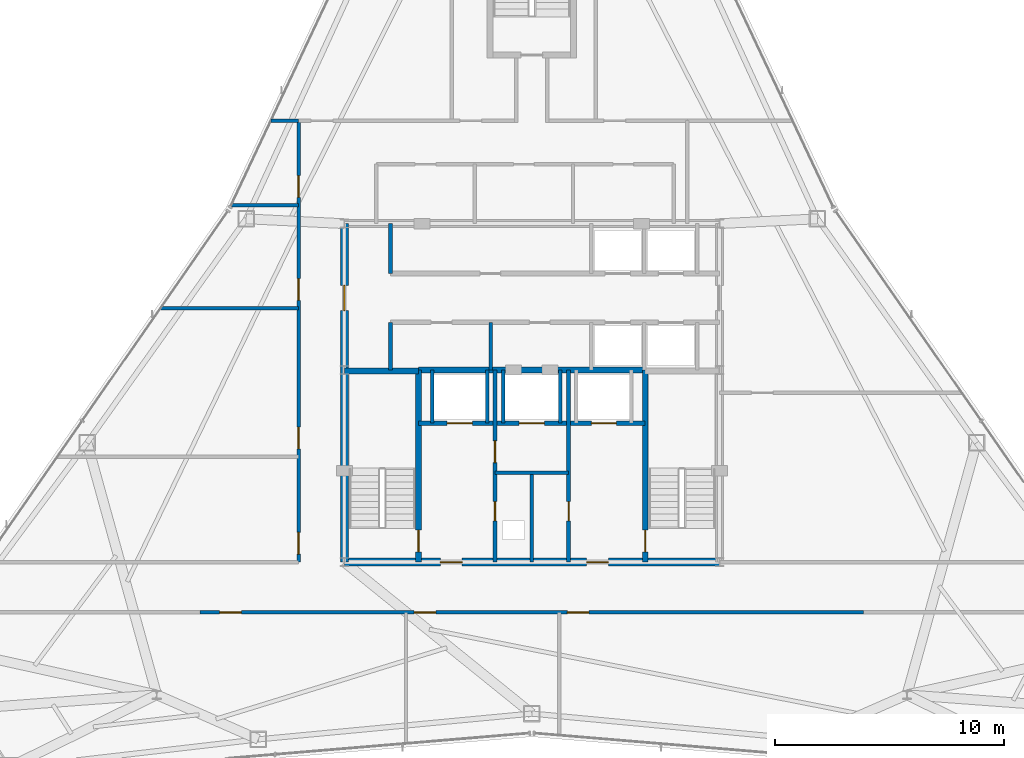
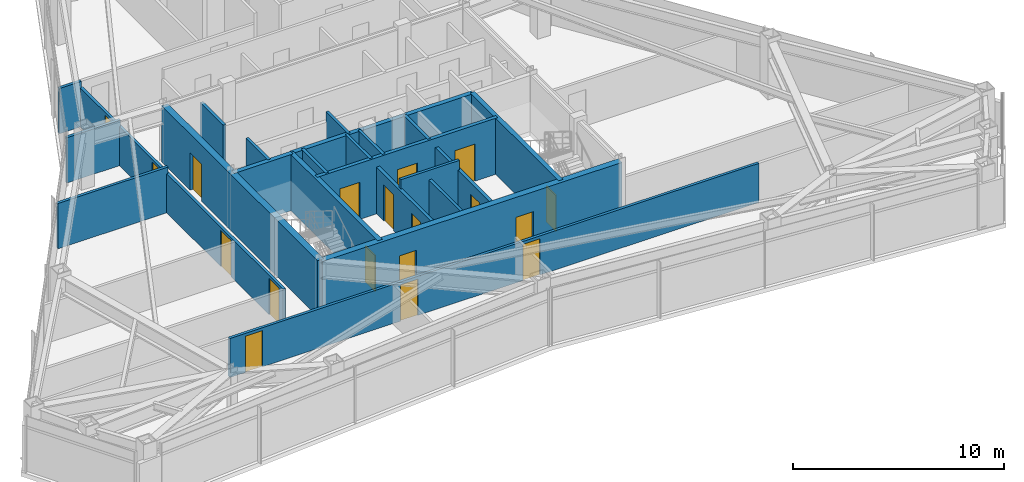
# One storey, part 9 of 12: 23 walls, 18 doors, 18 openings.
"""IFC4 building model written with IfcOpenShell, lengths in metres."""

from ifc_helpers import new_model, si_unit, direction, frame, frame_2d, origin, place, context, subcontext, project, spatial, rectangle, extrude, material, layer, layer_set, type_object, element, fill, save


model = new_model("IFC4")

# Units and contexts
model_context = context("Model", 3, precision=1e-05, world=origin(), true_north=direction((0.0, 1.0)))
body_context = subcontext(model_context, "Body", "Model", "MODEL_VIEW")
ifc_project = project(units=[si_unit("LENGTHUNIT", "METRE"), si_unit("AREAUNIT", "SQUARE_METRE"), si_unit("VOLUMEUNIT", "CUBIC_METRE"), si_unit("PLANEANGLEUNIT", "RADIAN"), si_unit("MASSUNIT", "GRAM", prefix="KILO")], contexts=[model_context])

# Site, building, storey
site_placement = place(None, origin())
site = spatial("IfcSite", under=ifc_project, at=site_placement, CompositionType="ELEMENT")
building_placement = place(site_placement, origin())
building = spatial("IfcBuilding", under=site, at=building_placement, Name="Varakhsha Concourse Tower", CompositionType="ELEMENT")
storey_placement = place(building_placement, frame((0.0, 0.0, 232.89990234375)))
storey = spatial("IfcBuildingStorey", under=building, at=storey_placement, Name="L66", CompositionType="ELEMENT", Elevation=232.89990234375)

# Wall, openings, doors
ifc_material_1 = material(Name="Concrete fc 65 MPa", Category="concrete")
ifc_layer_1 = layer(ifc_material_1, 0.35009765625, Name="WL-CORE-350")
ifc_layer_set_1 = layer_set([ifc_layer_1], Name="Concrete fc 65 MPa")
wall_type_1 = type_object("IfcWallType", Name="WL-CORE-350", PredefinedType="SHEAR", material=ifc_layer_set_1)
wall_1_placement = place(storey_placement, frame((31.800048828125, 16.39990234375, 0.0), z_axis=(0.0, 0.0, 1.0), x_axis=(1.0, 0.0, 0.0)))
wall_1 = element("IfcWall", 1, at=wall_1_placement, inside=storey, type_object=wall_type_1, Name="L66 Wall CWALL-S-L66", PredefinedType="SHEAR", context=body_context, shape_type="SweptSolid", body=[
    extrude(rectangle(XDim=16.39990234375, YDim=0.35009765625, at=frame_2d((8.199951171875, 0.0))), origin(), (0.0, 0.0, 1.0), 3.25),
])
opening_1_placement = place(wall_1_placement, frame((4.199951171875, 0.0, 0.0)))
opening_1 = element("IfcOpeningElement", 2, at=opening_1_placement, cuts=wall_1, Name="Opening DF-05", PredefinedType="OPENING", context=body_context, shape_type="SweptSolid", body=[
    extrude(rectangle(XDim=0.949951171875, YDim=2.10009765625, at=frame_2d((0.47509765625, 1.050048828125))), frame((0.0, 0.18505859375, 0.0), z_axis=(0.0, -1.0, 0.0), x_axis=(1.0, 0.0, 0.0)), (0.0, 0.0, 1.0), 0.3701171875),
])
opening_2_placement = place(wall_1_placement, frame((10.60009765625, 0.0, 0.0)))
opening_2 = element("IfcOpeningElement", 3, at=opening_2_placement, cuts=wall_1, Name="Opening DF-05", PredefinedType="OPENING", context=body_context, shape_type="SweptSolid", body=[
    extrude(rectangle(XDim=0.949951171875, YDim=2.10009765625, at=frame_2d((0.47509765625, 1.050048828125))), frame((0.0, 0.18505859375, 0.0), z_axis=(0.0, -1.0, 0.0), x_axis=(1.0, 0.0, 0.0)), (0.0, 0.0, 1.0), 0.3701171875),
])
ifc_material_2 = material(Name="Hollow Galvanised Steel Fire Door Assembly", Category="steel")
door_type_1 = type_object("IfcDoorType", Name="DR-FD60-950", OperationType="NOTDEFINED", PredefinedType="DOOR", material=ifc_material_2)
door_1_placement = place(opening_1_placement, origin())
door_1 = element("IfcDoor", 4, at=door_1_placement, inside=storey, type_object=door_type_1, Name="L66 Firefighting Lobby West Door", OperationType="SINGLE_SWING_RIGHT", OverallHeight=2.10009765625, OverallWidth=0.949951171875, PredefinedType="DOOR", context=body_context, shape_type="SweptSolid", body=[
    extrude(rectangle(XDim=0.949951171875, YDim=2.10009765625, at=frame_2d((0.47509765625, 1.050048828125))), frame((0.0, 0.02490234375, 0.0), z_axis=(0.0, -1.0, 0.0), x_axis=(1.0, 0.0, 0.0)), (0.0, 0.0, 1.0), 0.050048828125),
])
fill(opening_1, door_1)
door_2_placement = place(opening_2_placement, origin())
door_2 = element("IfcDoor", 5, at=door_2_placement, inside=storey, type_object=door_type_1, Name="L66 Firefighting Lobby East Door", OperationType="SINGLE_SWING_LEFT", OverallHeight=2.10009765625, OverallWidth=0.949951171875, PredefinedType="DOOR", context=body_context, shape_type="SweptSolid", body=[
    extrude(rectangle(XDim=0.949951171875, YDim=2.10009765625, at=frame_2d((0.47509765625, 1.050048828125))), frame((0.0, 0.02490234375, 0.0), z_axis=(0.0, -1.0, 0.0), x_axis=(1.0, 0.0, 0.0)), (0.0, 0.0, 1.0), 0.050048828125),
])
fill(opening_2, door_2)

# Wall, opening, door
wall_2_placement = place(storey_placement, frame((31.800048828125, 16.39990234375, 0.0), z_axis=(0.0, 0.0, 1.0), x_axis=(0.0, 1.0, 0.0)))
wall_2 = element("IfcWall", 6, at=wall_2_placement, inside=storey, type_object=wall_type_1, Name="L66 Wall CWALL-W-L66", PredefinedType="SHEAR", context=body_context, shape_type="SweptSolid", body=[
    extrude(rectangle(XDim=14.800048828125, YDim=0.35009765625, at=frame_2d((7.39990234375, 0.0))), origin(), (0.0, 0.0, 1.0), 3.25),
])
opening_3_placement = place(wall_2_placement, frame((11.0, 0.0, 0.0)))
opening_3 = element("IfcOpeningElement", 7, at=opening_3_placement, cuts=wall_2, Name="Opening DL-01", PredefinedType="OPENING", context=body_context, shape_type="SweptSolid", body=[
    extrude(rectangle(XDim=1.10009765625, YDim=2.14990234375, at=frame_2d((0.550048828125, 1.074951171875))), frame((0.0, 0.18505859375, 0.0), z_axis=(0.0, -1.0, 0.0), x_axis=(1.0, 0.0, 0.0)), (0.0, 0.0, 1.0), 0.3701171875),
])
ifc_material_3 = material(Name="Anodised Bronze Architectural Aluminium AA 6063-T6", Category="aluminium")
door_type_2 = type_object("IfcDoorType", Name="DR-LOB-1100", OperationType="NOTDEFINED", PredefinedType="DOOR", material=ifc_material_3)
door_3_placement = place(opening_3_placement, origin())
door_3 = element("IfcDoor", 8, at=door_3_placement, inside=storey, type_object=door_type_2, Name="L66 Lift Lobby West Concourse Door", OperationType="SINGLE_SWING_LEFT", OverallHeight=2.14990234375, OverallWidth=1.10009765625, PredefinedType="DOOR", context=body_context, shape_type="SweptSolid", body=[
    extrude(rectangle(XDim=1.10009765625, YDim=2.14990234375, at=frame_2d((0.550048828125, 1.074951171875))), frame((0.0, 0.02490234375, 0.0), z_axis=(0.0, -1.0, 0.0), x_axis=(1.0, 0.0, 0.0)), (0.0, 0.0, 1.0), 0.050048828125),
])
fill(opening_3, door_3)

# Wall, openings, doors
ifc_material_4 = material(Name="Fire-Rated Type X Gypsum Partition Assembly", Category="gypsum")
ifc_layer_2 = layer(ifc_material_4, 0.179931640625, Name="WL-FFLOB-180")
ifc_layer_set_2 = layer_set([ifc_layer_2], Name="Fire-Rated Type X Gypsum Partition Assembly")
wall_type_2 = type_object("IfcWallType", Name="WL-FFLOB-180", PredefinedType="PARTITIONING", material=ifc_layer_set_2)
wall_3_placement = place(storey_placement, frame((38.389892578125, 16.39990234375, 0.0), z_axis=(0.0, 0.0, 1.0), x_axis=(0.0, 1.0, 0.0)))
wall_3 = element("IfcWall", 9, at=wall_3_placement, inside=storey, type_object=wall_type_2, Name="L66 Wall FFW-1E-L66", PredefinedType="PARTITIONING", context=body_context, shape_type="SweptSolid", body=[
    extrude(rectangle(XDim=8.400146484375, YDim=0.179931640625, at=frame_2d((4.2001953125, 0.0))), origin(), (0.0, 0.0, 1.0), 2.705078125),
])
opening_4_placement = place(wall_3_placement, frame((1.800048828125, 0.0, 0.0)))
opening_4 = element("IfcOpeningElement", 10, at=opening_4_placement, cuts=wall_3, Name="Opening DF-07", PredefinedType="OPENING", context=body_context, shape_type="SweptSolid", body=[
    extrude(rectangle(XDim=0.85009765625, YDim=2.050048828125, at=frame_2d((0.425048828125, 1.02490234375))), frame((0.0, 0.099853515625, 0.0), z_axis=(0.0, -1.0, 0.0), x_axis=(1.0, 0.0, 0.0)), (0.0, 0.0, 1.0), 0.199951171875),
])
opening_5_placement = place(wall_3_placement, frame((4.35009765625, 0.0, 0.0)))
opening_5 = element("IfcOpeningElement", 11, at=opening_5_placement, cuts=wall_3, Name="Opening DF-05", PredefinedType="OPENING", context=body_context, shape_type="SweptSolid", body=[
    extrude(rectangle(XDim=0.949951171875, YDim=2.10009765625, at=frame_2d((0.47509765625, 1.050048828125))), frame((0.0, 0.099853515625, 0.0), z_axis=(0.0, -1.0, 0.0), x_axis=(1.0, 0.0, 0.0)), (0.0, 0.0, 1.0), 0.199951171875),
])
door_type_3 = type_object("IfcDoorType", Name="DR-FD60-850", OperationType="NOTDEFINED", PredefinedType="DOOR", material=ifc_material_2)
door_4_placement = place(opening_4_placement, origin())
door_4 = element("IfcDoor", 12, at=door_4_placement, inside=storey, type_object=door_type_3, Name="L66 Power Metering Closet Door", OperationType="SINGLE_SWING_LEFT", OverallHeight=2.050048828125, OverallWidth=0.85009765625, PredefinedType="DOOR", context=body_context, shape_type="SweptSolid", body=[
    extrude(rectangle(XDim=0.85009765625, YDim=2.050048828125, at=frame_2d((0.425048828125, 1.02490234375))), frame((0.0, 0.02490234375, 0.0), z_axis=(0.0, -1.0, 0.0), x_axis=(1.0, 0.0, 0.0)), (0.0, 0.0, 1.0), 0.050048828125),
])
fill(opening_4, door_4)
door_5_placement = place(opening_5_placement, origin())
door_5 = element("IfcDoor", 13, at=door_5_placement, inside=storey, type_object=door_type_1, Name="L66 Service Vestibule Door", OperationType="SINGLE_SWING_RIGHT", OverallHeight=2.10009765625, OverallWidth=0.949951171875, PredefinedType="DOOR", context=body_context, shape_type="SweptSolid", body=[
    extrude(rectangle(XDim=0.949951171875, YDim=2.10009765625, at=frame_2d((0.47509765625, 1.050048828125))), frame((0.0, 0.02490234375, 0.0), z_axis=(0.0, -1.0, 0.0), x_axis=(1.0, 0.0, 0.0)), (0.0, 0.0, 1.0), 0.050048828125),
])
fill(opening_5, door_5)

# Wall, opening, door
wall_4_placement = place(storey_placement, frame((41.610107421875, 16.39990234375, 0.0), z_axis=(0.0, 0.0, 1.0), x_axis=(0.0, 1.0, 0.0)))
wall_4 = element("IfcWall", 14, at=wall_4_placement, inside=storey, type_object=wall_type_2, Name="L66 Wall FFW-2W-L66", PredefinedType="PARTITIONING", context=body_context, shape_type="SweptSolid", body=[
    extrude(rectangle(XDim=8.400146484375, YDim=0.179931640625, at=frame_2d((4.2001953125, 0.0))), origin(), (0.0, 0.0, 1.0), 2.705078125),
])
opening_6_placement = place(wall_4_placement, frame((1.800048828125, 0.0, 0.0)))
opening_6 = element("IfcOpeningElement", 15, at=opening_6_placement, cuts=wall_4, Name="Opening DF-07", PredefinedType="OPENING", context=body_context, shape_type="SweptSolid", body=[
    extrude(rectangle(XDim=0.85009765625, YDim=2.050048828125, at=frame_2d((0.425048828125, 1.02490234375))), frame((0.0, 0.099853515625, 0.0), z_axis=(0.0, -1.0, 0.0), x_axis=(1.0, 0.0, 0.0)), (0.0, 0.0, 1.0), 0.199951171875),
])
door_6_placement = place(opening_6_placement, origin())
door_6 = element("IfcDoor", 16, at=door_6_placement, inside=storey, type_object=door_type_3, Name="L66 BMS Control Closet Door", OperationType="SINGLE_SWING_RIGHT", OverallHeight=2.050048828125, OverallWidth=0.85009765625, PredefinedType="DOOR", context=body_context, shape_type="SweptSolid", body=[
    extrude(rectangle(XDim=0.85009765625, YDim=2.050048828125, at=frame_2d((0.425048828125, 1.02490234375))), frame((0.0, 0.02490234375, 0.0), z_axis=(0.0, -1.0, 0.0), x_axis=(1.0, 0.0, 0.0)), (0.0, 0.0, 1.0), 0.050048828125),
])
fill(opening_6, door_6)

# Walls
ifc_layer_3 = layer(ifc_material_4, 0.14990234375, Name="WL-PART-150")
ifc_layer_set_3 = layer_set([ifc_layer_3], Name="Fire-Rated Type X Gypsum Partition Assembly")
wall_type_3 = type_object("IfcWallType", Name="WL-PART-150", PredefinedType="PARTITIONING", material=ifc_layer_set_3)
wall_5_placement = place(storey_placement, frame((38.389892578125, 20.300048828125, 0.0), z_axis=(0.0, 0.0, 1.0), x_axis=(1.0, 0.0, 0.0)))
element("IfcWall", 17, at=wall_5_placement, inside=storey, type_object=wall_type_3, Name="L66 Wall RSW-TH-L66", PredefinedType="PARTITIONING", context=body_context, shape_type="SweptSolid", body=[
    extrude(rectangle(XDim=3.22021484375, YDim=0.14990234375, at=frame_2d((1.610107421875, 0.0))), origin(), (0.0, 0.0, 1.0), 3.25),
])
wall_6_placement = place(storey_placement, frame((40.0, 16.39990234375, 0.0), z_axis=(0.0, 0.0, 1.0), x_axis=(0.0, 1.0, 0.0)))
element("IfcWall", 18, at=wall_6_placement, inside=storey, type_object=wall_type_3, Name="L66 Wall RSW-TV-L66", PredefinedType="PARTITIONING", context=body_context, shape_type="SweptSolid", body=[
    extrude(rectangle(XDim=3.900146484375, YDim=0.14990234375, at=frame_2d((1.9501953125, 0.0))), origin(), (0.0, 0.0, 1.0), 2.705078125),
])
wall_7_placement = place(storey_placement, frame((38.199951171875, 24.800048828125, 0.0), z_axis=(0.0, 0.0, 1.0), x_axis=(0.0, 1.0, 0.0)))
element("IfcWall", 19, at=wall_7_placement, inside=storey, type_object=wall_type_3, Name="L66 Wall P2F-D1-L66", PredefinedType="PARTITIONING", context=body_context, shape_type="SweptSolid", body=[
    extrude(rectangle(XDim=2.079833984375, YDim=0.14990234375, at=frame_2d((1.0400390625, 0.0))), origin(), (0.0, 0.0, 1.0), 3.25),
])

# Wall, openings, doors
wall_8_placement = place(storey_placement, frame((29.800048828125, 16.39990234375, 0.0), z_axis=(0.0, 0.0, 1.0), x_axis=(0.0, 1.0, 0.0)))
wall_8 = element("IfcWall", 20, at=wall_8_placement, inside=storey, type_object=wall_type_3, Name="L66 Wall CRW-W-L66", PredefinedType="PARTITIONING", context=body_context, shape_type="SweptSolid", body=[
    extrude(rectangle(XDim=19.300048828125, YDim=0.14990234375, at=frame_2d((9.64990234375, 0.0))), origin(), (0.0, 0.0, 1.0), 2.26513671875),
])
opening_7_placement = place(wall_8_placement, frame((0.35009765625, 0.0, 0.0)))
opening_7 = element("IfcOpeningElement", 21, at=opening_7_placement, cuts=wall_8, Name="Opening DF-05", PredefinedType="OPENING", context=body_context, shape_type="SweptSolid", body=[
    extrude(rectangle(XDim=0.949951171875, YDim=2.10009765625, at=frame_2d((0.47509765625, 1.050048828125))), frame((0.0, 0.0849609375, 0.0), z_axis=(0.0, -1.0, 0.0), x_axis=(1.0, 0.0, 0.0)), (0.0, 0.0, 1.0), 0.169921875),
])
opening_8_placement = place(wall_8_placement, frame((4.949951171875, 0.0, 0.0)))
opening_8 = element("IfcOpeningElement", 22, at=opening_8_placement, cuts=wall_8, Name="Opening DF-05", PredefinedType="OPENING", context=body_context, shape_type="SweptSolid", body=[
    extrude(rectangle(XDim=0.949951171875, YDim=2.10009765625, at=frame_2d((0.47509765625, 1.050048828125))), frame((0.0, 0.0849609375, 0.0), z_axis=(0.0, -1.0, 0.0), x_axis=(1.0, 0.0, 0.0)), (0.0, 0.0, 1.0), 0.169921875),
])
opening_9_placement = place(wall_8_placement, frame((11.449951171875, 0.0, 0.0)))
opening_9 = element("IfcOpeningElement", 23, at=opening_9_placement, cuts=wall_8, Name="Opening DF-05", PredefinedType="OPENING", context=body_context, shape_type="SweptSolid", body=[
    extrude(rectangle(XDim=0.949951171875, YDim=2.10009765625, at=frame_2d((0.47509765625, 1.050048828125))), frame((0.0, 0.0849609375, 0.0), z_axis=(0.0, -1.0, 0.0), x_axis=(1.0, 0.0, 0.0)), (0.0, 0.0, 1.0), 0.169921875),
])
opening_10_placement = place(wall_8_placement, frame((15.949951171875, 0.0, 0.0)))
opening_10 = element("IfcOpeningElement", 24, at=opening_10_placement, cuts=wall_8, Name="Opening DF-05", PredefinedType="OPENING", context=body_context, shape_type="SweptSolid", body=[
    extrude(rectangle(XDim=0.949951171875, YDim=2.10009765625, at=frame_2d((0.47509765625, 1.050048828125))), frame((0.0, 0.0849609375, 0.0), z_axis=(0.0, -1.0, 0.0), x_axis=(1.0, 0.0, 0.0)), (0.0, 0.0, 1.0), 0.169921875),
])
door_7_placement = place(opening_7_placement, origin())
door_7 = element("IfcDoor", 25, at=door_7_placement, inside=storey, type_object=door_type_1, Name="L66 Town-Hall Innovation Lounge L66 Door", OperationType="SINGLE_SWING_RIGHT", OverallHeight=2.10009765625, OverallWidth=0.949951171875, PredefinedType="DOOR", context=body_context, shape_type="SweptSolid", body=[
    extrude(rectangle(XDim=0.949951171875, YDim=2.10009765625, at=frame_2d((0.47509765625, 1.050048828125))), frame((0.0, 0.02490234375, 0.0), z_axis=(0.0, -1.0, 0.0), x_axis=(1.0, 0.0, 0.0)), (0.0, 0.0, 1.0), 0.050048828125),
])
fill(opening_7, door_7)
door_8_placement = place(opening_8_placement, origin())
door_8 = element("IfcDoor", 26, at=door_8_placement, inside=storey, type_object=door_type_1, Name="L66 Hot-Desk Studio Neighborhood L66-W2 Door", OperationType="SINGLE_SWING_LEFT", OverallHeight=2.10009765625, OverallWidth=0.949951171875, PredefinedType="DOOR", context=body_context, shape_type="SweptSolid", body=[
    extrude(rectangle(XDim=0.949951171875, YDim=2.10009765625, at=frame_2d((0.47509765625, 1.050048828125))), frame((0.0, 0.02490234375, 0.0), z_axis=(0.0, -1.0, 0.0), x_axis=(1.0, 0.0, 0.0)), (0.0, 0.0, 1.0), 0.050048828125),
])
fill(opening_8, door_8)
door_9_placement = place(opening_9_placement, origin())
door_9 = element("IfcDoor", 27, at=door_9_placement, inside=storey, type_object=door_type_1, Name="L66 Hot-Desk Studio Neighborhood L66-W3 Door", OperationType="SINGLE_SWING_RIGHT", OverallHeight=2.10009765625, OverallWidth=0.949951171875, PredefinedType="DOOR", context=body_context, shape_type="SweptSolid", body=[
    extrude(rectangle(XDim=0.949951171875, YDim=2.10009765625, at=frame_2d((0.47509765625, 1.050048828125))), frame((0.0, 0.02490234375, 0.0), z_axis=(0.0, -1.0, 0.0), x_axis=(1.0, 0.0, 0.0)), (0.0, 0.0, 1.0), 0.050048828125),
])
fill(opening_9, door_9)
door_10_placement = place(opening_10_placement, origin())
door_10 = element("IfcDoor", 28, at=door_10_placement, inside=storey, type_object=door_type_1, Name="L66 Hot-Desk Studio Neighborhood L66-W4 Door", OperationType="SINGLE_SWING_LEFT", OverallHeight=2.10009765625, OverallWidth=0.949951171875, PredefinedType="DOOR", context=body_context, shape_type="SweptSolid", body=[
    extrude(rectangle(XDim=0.949951171875, YDim=2.10009765625, at=frame_2d((0.47509765625, 1.050048828125))), frame((0.0, 0.02490234375, 0.0), z_axis=(0.0, -1.0, 0.0), x_axis=(1.0, 0.0, 0.0)), (0.0, 0.0, 1.0), 0.050048828125),
])
fill(opening_10, door_10)

wall_9_placement = place(storey_placement, frame((25.5, 14.199951171875, 0.0), z_axis=(0.0, 0.0, 1.0), x_axis=(1.0, 0.0, 0.0)))
wall_9 = element("IfcWall", 29, at=wall_9_placement, inside=storey, type_object=wall_type_3, Name="L66 Wall CRW-S-DOOR-L66", PredefinedType="PARTITIONING", context=body_context, shape_type="SweptSolid", body=[
    extrude(rectangle(XDim=29.0, YDim=0.14990234375, at=frame_2d((14.5, 0.0))), origin(), (0.0, 0.0, 1.0), 2.26513671875),
])
opening_11_placement = place(wall_9_placement, frame((0.85009765625, 0.0, 0.0)))
opening_11 = element("IfcOpeningElement", 30, at=opening_11_placement, cuts=wall_9, Name="Opening DF-05", PredefinedType="OPENING", context=body_context, shape_type="SweptSolid", body=[
    extrude(rectangle(XDim=0.949951171875, YDim=2.10009765625, at=frame_2d((0.47509765625, 1.050048828125))), frame((0.0, 0.0849609375, 0.0), z_axis=(0.0, -1.0, 0.0), x_axis=(1.0, 0.0, 0.0)), (0.0, 0.0, 1.0), 0.169921875),
])
opening_12_placement = place(wall_9_placement, frame((9.35009765625, 0.0, 0.0)))
opening_12 = element("IfcOpeningElement", 31, at=opening_12_placement, cuts=wall_9, Name="Opening DF-05", PredefinedType="OPENING", context=body_context, shape_type="SweptSolid", body=[
    extrude(rectangle(XDim=0.949951171875, YDim=2.10009765625, at=frame_2d((0.47509765625, 1.050048828125))), frame((0.0, 0.0849609375, 0.0), z_axis=(0.0, -1.0, 0.0), x_axis=(1.0, 0.0, 0.0)), (0.0, 0.0, 1.0), 0.169921875),
])
opening_13_placement = place(wall_9_placement, frame((16.050048828125, 0.0, 0.0)))
opening_13 = element("IfcOpeningElement", 32, at=opening_13_placement, cuts=wall_9, Name="Opening DF-05", PredefinedType="OPENING", context=body_context, shape_type="SweptSolid", body=[
    extrude(rectangle(XDim=0.949951171875, YDim=2.10009765625, at=frame_2d((0.47509765625, 1.050048828125))), frame((0.0, 0.0849609375, 0.0), z_axis=(0.0, -1.0, 0.0), x_axis=(1.0, 0.0, 0.0)), (0.0, 0.0, 1.0), 0.169921875),
])
door_11_placement = place(opening_11_placement, origin())
door_11 = element("IfcDoor", 33, at=door_11_placement, inside=storey, type_object=door_type_1, Name="L66 Project Pitch Room L66-S1 Door", OperationType="SINGLE_SWING_LEFT", OverallHeight=2.10009765625, OverallWidth=0.949951171875, PredefinedType="DOOR", context=body_context, shape_type="SweptSolid", body=[
    extrude(rectangle(XDim=0.949951171875, YDim=2.10009765625, at=frame_2d((0.47509765625, 1.050048828125))), frame((0.0, 0.02490234375, 0.0), z_axis=(0.0, -1.0, 0.0), x_axis=(1.0, 0.0, 0.0)), (0.0, 0.0, 1.0), 0.050048828125),
])
fill(opening_11, door_11)
door_12_placement = place(opening_12_placement, origin())
door_12 = element("IfcDoor", 34, at=door_12_placement, inside=storey, type_object=door_type_1, Name="L66 Hot-Desk Studio Neighborhood L66-S2 Door", OperationType="SINGLE_SWING_RIGHT", OverallHeight=2.10009765625, OverallWidth=0.949951171875, PredefinedType="DOOR", context=body_context, shape_type="SweptSolid", body=[
    extrude(rectangle(XDim=0.949951171875, YDim=2.10009765625, at=frame_2d((0.47509765625, 1.050048828125))), frame((0.0, 0.02490234375, 0.0), z_axis=(0.0, -1.0, 0.0), x_axis=(1.0, 0.0, 0.0)), (0.0, 0.0, 1.0), 0.050048828125),
])
fill(opening_12, door_12)
door_13_placement = place(opening_13_placement, origin())
door_13 = element("IfcDoor", 35, at=door_13_placement, inside=storey, type_object=door_type_1, Name="L66 Hot-Desk Studio Neighborhood L66-S3 Door", OperationType="SINGLE_SWING_LEFT", OverallHeight=2.10009765625, OverallWidth=0.949951171875, PredefinedType="DOOR", context=body_context, shape_type="SweptSolid", body=[
    extrude(rectangle(XDim=0.949951171875, YDim=2.10009765625, at=frame_2d((0.47509765625, 1.050048828125))), frame((0.0, 0.02490234375, 0.0), z_axis=(0.0, -1.0, 0.0), x_axis=(1.0, 0.0, 0.0)), (0.0, 0.0, 1.0), 0.050048828125),
])
fill(opening_13, door_13)

# Walls
wall_10_placement = place(storey_placement, frame((28.59814453125, 35.699951171875, 0.0), z_axis=(0.0, 0.0, 1.0), x_axis=(1.0, 0.0, 0.0)))
element("IfcWall", 36, at=wall_10_placement, inside=storey, type_object=wall_type_3, Name="L66 Wall ODIV-WBN-L66", PredefinedType="PARTITIONING", context=body_context, shape_type="SweptSolid", body=[
    extrude(rectangle(XDim=1.201904296875, YDim=0.14990234375, at=frame_2d((0.60107421875, 0.0))), origin(), (0.0, 0.0, 1.0), 2.628173828125),
])
wall_11_placement = place(storey_placement, frame((23.767333984375, 27.5, 0.0), z_axis=(0.0, 0.0, 1.0), x_axis=(1.0, 0.0, 0.0)))
element("IfcWall", 37, at=wall_11_placement, inside=storey, type_object=wall_type_3, Name="L66 Wall ODIV-W2-L66", PredefinedType="PARTITIONING", context=body_context, shape_type="SweptSolid", body=[
    extrude(rectangle(XDim=6.03271484375, YDim=0.14990234375, at=frame_2d((3.016357421875, 0.0))), origin(), (0.0, 0.0, 1.0), 2.628173828125),
])
wall_12_placement = place(storey_placement, frame((26.85498046875, 32.0, 0.0), z_axis=(0.0, 0.0, 1.0), x_axis=(1.0, 0.0, 0.0)))
element("IfcWall", 38, at=wall_12_placement, inside=storey, type_object=wall_type_3, Name="L66 Wall ODIV-W3-L66", PredefinedType="PARTITIONING", context=body_context, shape_type="SweptSolid", body=[
    extrude(rectangle(XDim=2.945068359375, YDim=0.14990234375, at=frame_2d((1.47265625, 0.0))), origin(), (0.0, 0.0, 1.0), 2.628173828125),
])

# Wall, openings, doors
ifc_layer_4 = layer(ifc_material_4, 0.199951171875, Name="WL-SHAFT-220")
ifc_layer_set_4 = layer_set([ifc_layer_4], Name="Fire-Rated Type X Gypsum Partition Assembly")
wall_type_4 = type_object("IfcWallType", Name="WL-SHAFT-220", PredefinedType="SOLIDWALL", material=ifc_layer_set_4)
wall_13_placement = place(storey_placement, frame((35.044921875, 22.47998046875, 0.0), z_axis=(0.0, 0.0, 1.0), x_axis=(1.0, 0.0, 0.0)))
wall_13 = element("IfcWall", 39, at=wall_13_placement, inside=storey, type_object=wall_type_4, Name="L66 Wall FFW-NH-L66", PredefinedType="SOLIDWALL", context=body_context, shape_type="SweptSolid", body=[
    extrude(rectangle(XDim=9.91015625, YDim=0.199951171875, at=frame_2d((4.955078125, 0.0))), origin(), (0.0, 0.0, 1.0), 3.25),
])
opening_14_placement = place(wall_13_placement, frame((1.2548828125, 0.0, 0.0)))
opening_14 = element("IfcOpeningElement", 40, at=opening_14_placement, cuts=wall_13, Name="Opening LD-FFL-1", PredefinedType="OPENING", context=body_context, shape_type="SweptSolid", body=[
    extrude(rectangle(XDim=1.10009765625, YDim=2.14990234375, at=frame_2d((0.550048828125, 1.074951171875))), frame((0.0, 0.10986328125, 0.0), z_axis=(0.0, -1.0, 0.0), x_axis=(1.0, 0.0, 0.0)), (0.0, 0.0, 1.0), 0.219970703125),
])
opening_15_placement = place(wall_13_placement, frame((7.554931640625, 0.0, 0.0)))
opening_15 = element("IfcOpeningElement", 41, at=opening_15_placement, cuts=wall_13, Name="Opening LD-FFL-2", PredefinedType="OPENING", context=body_context, shape_type="SweptSolid", body=[
    extrude(rectangle(XDim=1.10009765625, YDim=2.14990234375, at=frame_2d((0.550048828125, 1.074951171875))), frame((0.0, 0.10986328125, 0.0), z_axis=(0.0, -1.0, 0.0), x_axis=(1.0, 0.0, 0.0)), (0.0, 0.0, 1.0), 0.219970703125),
])
opening_16_placement = place(wall_13_placement, frame((4.405029296875, 0.0, 0.0)))
opening_16 = element("IfcOpeningElement", 42, at=opening_16_placement, cuts=wall_13, Name="Opening LD-SVL-1", PredefinedType="OPENING", context=body_context, shape_type="SweptSolid", body=[
    extrude(rectangle(XDim=1.10009765625, YDim=2.14990234375, at=frame_2d((0.550048828125, 1.074951171875))), frame((0.0, 0.10986328125, 0.0), z_axis=(0.0, -1.0, 0.0), x_axis=(1.0, 0.0, 0.0)), (0.0, 0.0, 1.0), 0.219970703125),
])
ifc_material_5 = material(Name="Brushed Austenitic Stainless Steel AISI 316", Category="steel")
door_type_4 = type_object("IfcDoorType", Name="DR-LD-1100", OperationType="DOUBLE_DOOR_SLIDING", PredefinedType="DOOR", material=ifc_material_5)
door_14_placement = place(opening_14_placement, origin())
door_14 = element("IfcDoor", 43, at=door_14_placement, inside=storey, type_object=door_type_4, Name="Lift Landing Door FFL-1 L66", OperationType="DOUBLE_DOOR_SLIDING", OverallHeight=2.14990234375, OverallWidth=1.10009765625, PredefinedType="DOOR", context=body_context, shape_type="SweptSolid", body=[
    extrude(rectangle(XDim=1.10009765625, YDim=2.14990234375, at=frame_2d((0.550048828125, 1.074951171875))), frame((0.0, 0.02490234375, 0.0), z_axis=(0.0, -1.0, 0.0), x_axis=(1.0, 0.0, 0.0)), (0.0, 0.0, 1.0), 0.050048828125),
])
fill(opening_14, door_14)
door_15_placement = place(opening_15_placement, origin())
door_15 = element("IfcDoor", 44, at=door_15_placement, inside=storey, type_object=door_type_4, Name="Lift Landing Door FFL-2 L66", OperationType="DOUBLE_DOOR_SLIDING", OverallHeight=2.14990234375, OverallWidth=1.10009765625, PredefinedType="DOOR", context=body_context, shape_type="SweptSolid", body=[
    extrude(rectangle(XDim=1.10009765625, YDim=2.14990234375, at=frame_2d((0.550048828125, 1.074951171875))), frame((0.0, 0.02490234375, 0.0), z_axis=(0.0, -1.0, 0.0), x_axis=(1.0, 0.0, 0.0)), (0.0, 0.0, 1.0), 0.050048828125),
])
fill(opening_15, door_15)
door_16_placement = place(opening_16_placement, origin())
door_16 = element("IfcDoor", 45, at=door_16_placement, inside=storey, type_object=door_type_4, Name="Lift Landing Door SVL-1 L66", OperationType="DOUBLE_DOOR_SLIDING", OverallHeight=2.14990234375, OverallWidth=1.10009765625, PredefinedType="DOOR", context=body_context, shape_type="SweptSolid", body=[
    extrude(rectangle(XDim=1.10009765625, YDim=2.14990234375, at=frame_2d((0.550048828125, 1.074951171875))), frame((0.0, 0.02490234375, 0.0), z_axis=(0.0, -1.0, 0.0), x_axis=(1.0, 0.0, 0.0)), (0.0, 0.0, 1.0), 0.050048828125),
])
fill(opening_16, door_16)

# Walls
for number, where, z_axis, x_axis, name in (
    (46, (35.64990234375, 22.47998046875, 0.0), (0.0, 0.0, 1.0), (0.0, 1.0, 0.0), "L66 Wall SHW-FFL-1-W-L66"),
    (47, (38.050048828125, 22.47998046875, 0.0), (0.0, 0.0, 1.0), (0.0, 1.0, 0.0), "L66 Wall SHW-FFL-1-E-L66"),
    (48, (38.75, 22.47998046875, 0.0), (0.0, 0.0, 1.0), (0.0, 1.0, 0.0), "L66 Wall SHW-SVL-1-W-L66"),
    (49, (41.25, 22.47998046875, 0.0), (0.0, 0.0, 1.0), (0.0, 1.0, 0.0), "L66 Wall SHW-SVL-1-E-L66"),
):
    element("IfcWall", number, at=place(storey_placement, frame(where, z_axis=z_axis, x_axis=x_axis)), inside=storey, type_object=wall_type_4, Name=name, PredefinedType="SOLIDWALL", context=body_context, shape_type="SweptSolid", body=[
        extrude(rectangle(XDim=2.320068359375, YDim=0.159912109375, at=frame_2d((1.16015625, 0.0))), origin(), (0.0, 0.0, 1.0), 3.25),
    ])
wall_14_placement = place(storey_placement, frame((33.820068359375, 29.02001953125, 0.0), z_axis=(0.0, 0.0, 1.0), x_axis=(0.0, 1.0, 0.0)))
element("IfcWall", 50, at=wall_14_placement, inside=storey, type_object=wall_type_4, Name="L66 Wall WBOH-E1-L66", PredefinedType="SOLIDWALL", context=body_context, shape_type="SweptSolid", body=[
    extrude(rectangle(XDim=2.179931640625, YDim=0.159912109375, at=frame_2d((1.08984375, 0.0))), origin(), (0.0, 0.0, 1.0), 2.705078125),
])
wall_15_placement = place(storey_placement, frame((33.820068359375, 24.800048828125, 0.0), z_axis=(0.0, 0.0, 1.0), x_axis=(0.0, 1.0, 0.0)))
element("IfcWall", 51, at=wall_15_placement, inside=storey, type_object=wall_type_4, Name="L66 Wall WBOH-E2-L66", PredefinedType="SOLIDWALL", context=body_context, shape_type="SweptSolid", body=[
    extrude(rectangle(XDim=2.079833984375, YDim=0.159912109375, at=frame_2d((1.0400390625, 0.0))), origin(), (0.0, 0.0, 1.0), 3.25),
])

# Wall, opening, door
ifc_material_6 = material(Name="Concrete fc 45 MPa", Category="concrete")
ifc_layer_5 = layer(ifc_material_6, 0.25, Name="WL-STAIR-250")
ifc_layer_set_5 = layer_set([ifc_layer_5], Name="Concrete fc 45 MPa")
wall_type_5 = type_object("IfcWallType", Name="WL-STAIR-250", PredefinedType="SHEAR", material=ifc_layer_set_5)
wall_16_placement = place(storey_placement, frame((35.044921875, 16.39990234375, 0.0), z_axis=(0.0, 0.0, 1.0), x_axis=(0.0, 1.0, 0.0)))
wall_16 = element("IfcWall", 52, at=wall_16_placement, inside=storey, type_object=wall_type_5, Name="L66 Wall SWALL-ST1-E-L66", PredefinedType="SHEAR", context=body_context, shape_type="SweptSolid", body=[
    extrude(rectangle(XDim=8.400146484375, YDim=0.25, at=frame_2d((4.2001953125, 0.0))), origin(), (0.0, 0.0, 1.0), 3.25),
])
opening_17_placement = place(wall_16_placement, frame((0.449951171875, 0.0, 0.0)))
opening_17 = element("IfcOpeningElement", 53, at=opening_17_placement, cuts=wall_16, Name="Opening DF-03", PredefinedType="OPENING", context=body_context, shape_type="SweptSolid", body=[
    extrude(rectangle(XDim=0.949951171875, YDim=2.10009765625, at=frame_2d((0.47509765625, 1.050048828125))), frame((0.0, 0.135009765625, 0.0), z_axis=(0.0, -1.0, 0.0), x_axis=(1.0, 0.0, 0.0)), (0.0, 0.0, 1.0), 0.27001953125),
])
door_type_5 = type_object("IfcDoorType", Name="DR-FD90-950", OperationType="NOTDEFINED", PredefinedType="DOOR", material=ifc_material_2)
door_17_placement = place(opening_17_placement, origin())
door_17 = element("IfcDoor", 54, at=door_17_placement, inside=storey, type_object=door_type_5, Name="L66 Stair ST1 Fire Door", OperationType="SINGLE_SWING_LEFT", OverallHeight=2.10009765625, OverallWidth=0.949951171875, PredefinedType="DOOR", context=body_context, shape_type="SweptSolid", body=[
    extrude(rectangle(XDim=0.949951171875, YDim=2.10009765625, at=frame_2d((0.47509765625, 1.050048828125))), frame((0.0, 0.02490234375, 0.0), z_axis=(0.0, -1.0, 0.0), x_axis=(1.0, 0.0, 0.0)), (0.0, 0.0, 1.0), 0.050048828125),
])
fill(opening_17, door_17)

# Wall
wall_17_placement = place(storey_placement, frame((31.800048828125, 24.7548828125, 0.0), z_axis=(0.0, 0.0, 1.0), x_axis=(1.0, 0.0, 0.0)))
element("IfcWall", 55, at=wall_17_placement, inside=storey, type_object=wall_type_5, Name="L66 Wall SWALL-ST1-N-L66", PredefinedType="SHEAR", context=body_context, shape_type="SweptSolid", body=[
    extrude(rectangle(XDim=3.244873046875, YDim=0.25, at=frame_2d((1.62255859375, 0.0))), origin(), (0.0, 0.0, 1.0), 3.25),
])

# Wall, opening, door
wall_18_placement = place(storey_placement, frame((44.955078125, 16.39990234375, 0.0), z_axis=(0.0, 0.0, 1.0), x_axis=(0.0, 1.0, 0.0)))
wall_18 = element("IfcWall", 56, at=wall_18_placement, inside=storey, type_object=wall_type_5, Name="L66 Wall SWALL-ST2-W-L66", PredefinedType="SHEAR", context=body_context, shape_type="SweptSolid", body=[
    extrude(rectangle(XDim=8.400146484375, YDim=0.25, at=frame_2d((4.2001953125, 0.0))), origin(), (0.0, 0.0, 1.0), 3.25),
])
opening_18_placement = place(wall_18_placement, frame((0.449951171875, 0.0, 0.0)))
opening_18 = element("IfcOpeningElement", 57, at=opening_18_placement, cuts=wall_18, Name="Opening DF-03", PredefinedType="OPENING", context=body_context, shape_type="SweptSolid", body=[
    extrude(rectangle(XDim=0.949951171875, YDim=2.10009765625, at=frame_2d((0.47509765625, 1.050048828125))), frame((0.0, 0.135009765625, 0.0), z_axis=(0.0, -1.0, 0.0), x_axis=(1.0, 0.0, 0.0)), (0.0, 0.0, 1.0), 0.27001953125),
])
door_18_placement = place(opening_18_placement, origin())
door_18 = element("IfcDoor", 58, at=door_18_placement, inside=storey, type_object=door_type_5, Name="L66 Stair ST2 Fire Door", OperationType="SINGLE_SWING_RIGHT", OverallHeight=2.10009765625, OverallWidth=0.949951171875, PredefinedType="DOOR", context=body_context, shape_type="SweptSolid", body=[
    extrude(rectangle(XDim=0.949951171875, YDim=2.10009765625, at=frame_2d((0.47509765625, 1.050048828125))), frame((0.0, 0.02490234375, 0.0), z_axis=(0.0, -1.0, 0.0), x_axis=(1.0, 0.0, 0.0)), (0.0, 0.0, 1.0), 0.050048828125),
])
fill(opening_18, door_18)

# Wall
wall_19_placement = place(storey_placement, frame((35.044921875, 24.800048828125, 0.0), z_axis=(0.0, 0.0, 1.0), x_axis=(1.0, 0.0, 0.0)))
element("IfcWall", 59, at=wall_19_placement, inside=storey, type_object=wall_type_5, Name="L66 Wall SWALL-MID-H-L66", PredefinedType="SHEAR", context=body_context, shape_type="SweptSolid", body=[
    extrude(rectangle(XDim=9.91015625, YDim=0.25, at=frame_2d((4.955078125, 0.0))), origin(), (0.0, 0.0, 1.0), 3.25),
])

save(model, "model.ifc")
